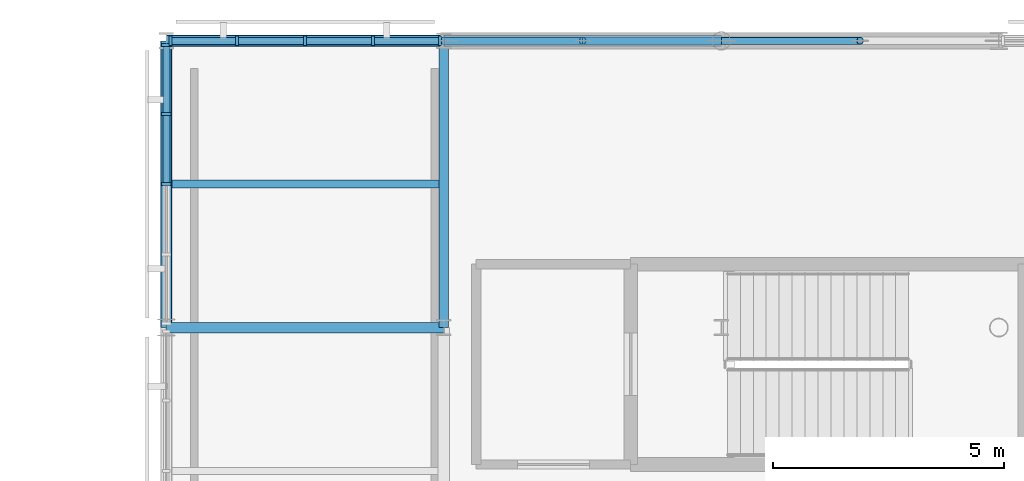
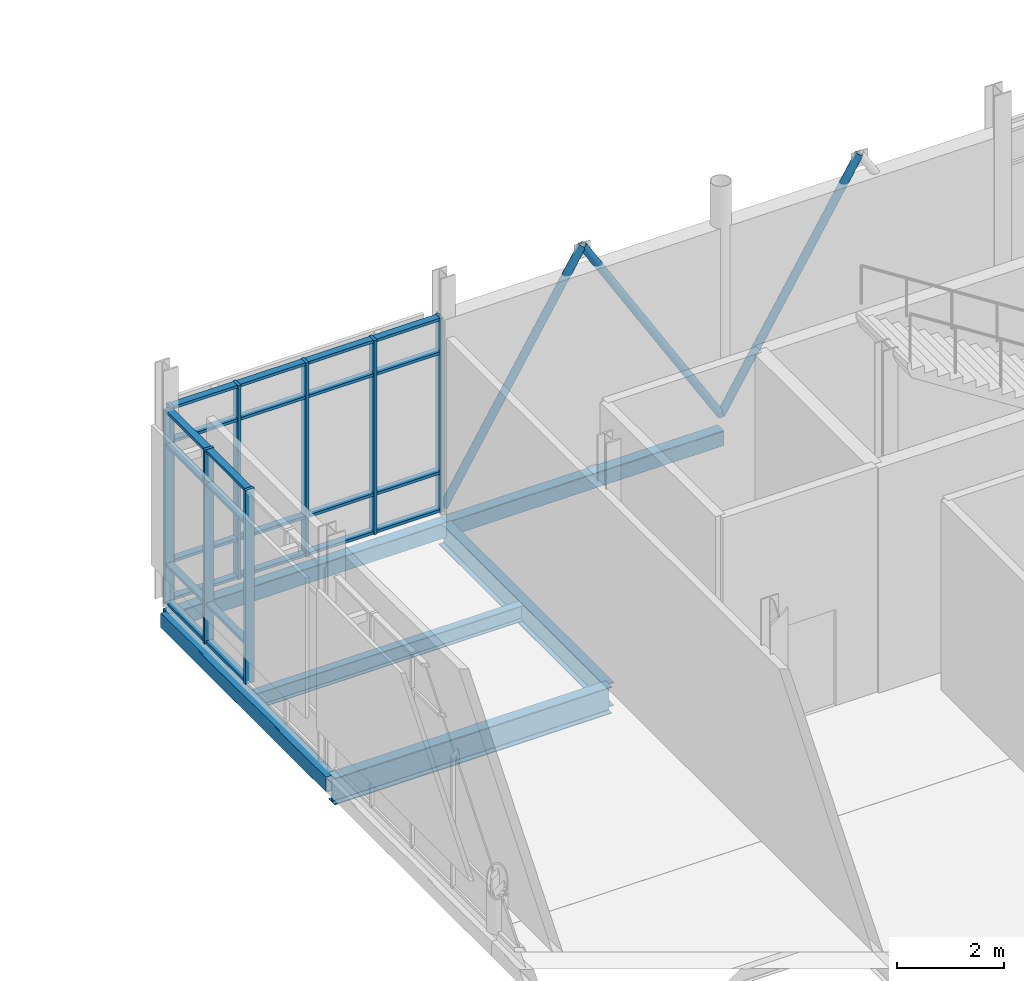
# One storey, part 44 of 105: 35 members, 6 beams, 2 elements without a shape of their own.
"""IFC4 building model written with IfcOpenShell, lengths in metres."""

from ifc_helpers import new_model, si_unit, direction, frame, origin, origin_2d, place, context, subcontext, project, spatial, rectangle, hollow_rectangle, hollow_circle, i_section, extrude, material, layer, layer_set, material_profile, profile_set, type_object, element, aggregate, save


model = new_model("IFC4")

# Units and contexts
model_context = context("Model", 3, precision=1e-05, world=origin(), true_north=direction((0.0, 1.0)))
body_context = subcontext(model_context, "Body", "Model", "MODEL_VIEW")
ifc_project = project(units=[si_unit("LENGTHUNIT", "METRE"), si_unit("AREAUNIT", "SQUARE_METRE"), si_unit("VOLUMEUNIT", "CUBIC_METRE"), si_unit("PLANEANGLEUNIT", "RADIAN"), si_unit("MASSUNIT", "GRAM", prefix="KILO")], contexts=[model_context])

# Site, building, storey
site_placement = place(None, origin())
site = spatial("IfcSite", under=ifc_project, at=site_placement, CompositionType="ELEMENT")
building_placement = place(site_placement, origin())
building = spatial("IfcBuilding", under=site, at=building_placement, Name="Mirzam Square Science Centre", CompositionType="ELEMENT")
storey_placement = place(building_placement, frame((0.0, 0.0, 5.39990234375)))
storey = spatial("IfcBuildingStorey", under=building, at=storey_placement, Name="L01", CompositionType="ELEMENT", Elevation=5.39990234375)

# Beams
ifc_material_1 = material(Name="Steel S355", Category="steel")
ifc_material_profile_1 = material_profile(ifc_material_1, i_section(OverallWidth=0.2099609375, OverallDepth=0.53662109375, WebThickness=0.0107421875, FlangeThickness=0.017333984375, FilletRadius=0.0126953125, at=origin_2d()), Name="533x210x101UB")
ifc_profile_set_1 = profile_set([ifc_material_profile_1], Name="Steel S355")
beam_type_1 = type_object("IfcBeamType", Name="BM-UB533", PredefinedType="BEAM", material=ifc_profile_set_1)
beam_1_placement = place(storey_placement, frame((120.0, 105.39990234375, -0.518310546875), z_axis=(0.0, 1.0, 0.0), x_axis=(-1.0, 0.0, 0.0)))
element("IfcBeam", 1, at=beam_1_placement, inside=storey, type_object=beam_type_1, Name="L01 girder Y21-18", PredefinedType="BEAM", context=body_context, shape_type="SweptSolid", body=[
    extrude(i_section(OverallWidth=0.2099609375, OverallDepth=0.53662109375, WebThickness=0.0107421875, FlangeThickness=0.017333984375, FilletRadius=0.0126953125, at=origin_2d()), origin(), (0.0, 0.0, 1.0), 6.2001953125),
])
ifc_material_profile_2 = material_profile(ifc_material_1, i_section(OverallWidth=0.22900390625, OverallDepth=0.6123046875, WebThickness=0.011962890625, FlangeThickness=0.01953125, FilletRadius=0.0126953125, at=origin_2d()), Name="610x229x125UB")
ifc_profile_set_2 = profile_set([ifc_material_profile_2], Name="Steel S355")
beam_type_2 = type_object("IfcBeamType", Name="BM-UB610", PredefinedType="BEAM", material=ifc_profile_set_2)
beam_2_placement = place(storey_placement, frame((114.0, 105.39990234375, -0.555908203125), z_axis=(1.0, 0.0, 0.0), x_axis=(0.0, 1.0, 0.0)))
element("IfcBeam", 2, at=beam_2_placement, inside=storey, type_object=beam_type_2, Name="L01 girder X20-18", PredefinedType="BEAM", context=body_context, shape_type="SweptSolid", body=[
    extrude(i_section(OverallWidth=0.22900390625, OverallDepth=0.6123046875, WebThickness=0.011962890625, FlangeThickness=0.01953125, FilletRadius=0.0126953125, at=origin_2d()), origin(), (0.0, 0.0, 1.0), 6.0),
])

# Members
ifc_material_profile_3 = material_profile(ifc_material_1, hollow_circle(Radius=0.084228515625, WallThickness=0.008056640625, at=origin_2d()), Name="168.3x8.0CHS")
ifc_profile_set_3 = profile_set([ifc_material_profile_3], Name="Steel S355")
member_type_1 = type_object("IfcMemberType", Name="BR-CHS168", PredefinedType="BRACE", material=ifc_profile_set_3)
for number, where, z_axis, x_axis, name in (
    (3, (120.0, 111.60009765625, 0.050048828125), (0.520218218023, 0.0, 0.854033375014), (0.0, 1.0, 0.0), "L01 chevron brace 8A"),
    (4, (126.0, 111.60009765625, 0.050048828125), (-0.520218218023, 0.0, 0.854033375014), (0.0, -1.0, 0.0), "L01 chevron brace 8B"),
    (5, (126.0, 111.60009765625, 0.050048828125), (0.520218218023, 0.0, 0.854033375014), (0.0, 1.0, 0.0), "L01 chevron brace 9A"),
):
    element("IfcMember", number, at=place(storey_placement, frame(where, z_axis=z_axis, x_axis=x_axis)), inside=storey, type_object=member_type_1, Name=name, PredefinedType="BRACE", context=body_context, shape_type="SweptSolid", body=[
        extrude(hollow_circle(Radius=0.084228515625, WallThickness=0.008056640625, at=origin_2d()), origin(), (0.0, 0.0, 1.0), 5.766845703125),
    ])

# Curtain wall, members
ifc_material_2 = material(Name="Anodised Aluminium and Low-E Solar Glass", Category="aluminium")
ifc_layer_1 = layer(ifc_material_2, 0.159912109375)
ifc_layer_set_1 = layer_set([ifc_layer_1], Name="CW-COURT-B")
curtain_wall_type_1 = type_object("IfcCurtainWallType", Name="CW-COURT-B", PredefinedType="USERDEFINED", material=ifc_layer_set_1)
curtain_wall_1_placement = place(storey_placement, origin())
curtain_wall_1 = element("IfcCurtainWall", 6, at=curtain_wall_1_placement, inside=storey, type_object=curtain_wall_type_1, Name="L01 unitised curtain wall 90", ObjectType="UNITISED CURTAIN WALL", PredefinedType="USERDEFINED")
ifc_material_3 = material(Name="Anodised Architectural Aluminium 6063-T6", Category="aluminium")
ifc_material_profile_4 = material_profile(ifc_material_3, rectangle(XDim=0.06494140625, YDim=0.199951171875, at=origin_2d()), Name="ALU-MULL-200x65x5")
ifc_profile_set_4 = profile_set([ifc_material_profile_4], Name="Anodised Architectural Aluminium 6063-T6")
member_type_2 = type_object("IfcMemberType", Name="CWM-200", PredefinedType="MULLION", material=ifc_profile_set_4)
member_1_placement = place(storey_placement, frame((119.91259765625, 111.60009765625, 0.0), z_axis=(0.0, 0.0, 1.0), x_axis=(-1.0, 0.0, 0.0)))
member_1 = element("IfcMember", 7, at=member_1_placement, type_object=member_type_2, Name="CW-04 mullion 1", PredefinedType="MULLION", context=body_context, shape_type="SweptSolid", body=[
    extrude(rectangle(XDim=0.06494140625, YDim=0.199951171875, at=origin_2d()), origin(), (0.0, 0.0, 1.0), 4.440185546875),
])
member_2_placement = place(storey_placement, frame((118.472412109375, 111.60009765625, 0.0), z_axis=(0.0, 0.0, 1.0), x_axis=(-1.0, 0.0, 0.0)))
member_2 = element("IfcMember", 8, at=member_2_placement, type_object=member_type_2, Name="CW-04 mullion 2", PredefinedType="MULLION", context=body_context, shape_type="SweptSolid", body=[
    extrude(rectangle(XDim=0.06494140625, YDim=0.199951171875, at=origin_2d()), origin(), (0.0, 0.0, 1.0), 4.440185546875),
])
member_3_placement = place(storey_placement, frame((117.0, 111.60009765625, 0.0), z_axis=(0.0, 0.0, 1.0), x_axis=(-1.0, 0.0, 0.0)))
member_3 = element("IfcMember", 9, at=member_3_placement, type_object=member_type_2, Name="CW-04 mullion 3", PredefinedType="MULLION", context=body_context, shape_type="SweptSolid", body=[
    extrude(rectangle(XDim=0.06494140625, YDim=0.199951171875, at=origin_2d()), origin(), (0.0, 0.0, 1.0), 4.440185546875),
])
member_4_placement = place(storey_placement, frame((115.527587890625, 111.60009765625, 0.0), z_axis=(0.0, 0.0, 1.0), x_axis=(-1.0, 0.0, 0.0)))
member_4 = element("IfcMember", 10, at=member_4_placement, type_object=member_type_2, Name="CW-04 mullion 4", PredefinedType="MULLION", context=body_context, shape_type="SweptSolid", body=[
    extrude(rectangle(XDim=0.06494140625, YDim=0.199951171875, at=origin_2d()), origin(), (0.0, 0.0, 1.0), 4.440185546875),
])
member_5_placement = place(storey_placement, frame((114.08740234375, 111.60009765625, 0.0), z_axis=(0.0, 0.0, 1.0), x_axis=(-1.0, 0.0, 0.0)))
member_5 = element("IfcMember", 11, at=member_5_placement, type_object=member_type_2, Name="CW-04 mullion 5", PredefinedType="MULLION", context=body_context, shape_type="SweptSolid", body=[
    extrude(rectangle(XDim=0.06494140625, YDim=0.199951171875, at=origin_2d()), origin(), (0.0, 0.0, 1.0), 4.440185546875),
])

ifc_layer_2 = layer(ifc_material_2, 0.199951171875)
ifc_layer_set_2 = layer_set([ifc_layer_2], Name="CW-EAST-A")
curtain_wall_type_2 = type_object("IfcCurtainWallType", Name="CW-EAST-A", PredefinedType="USERDEFINED", material=ifc_layer_set_2)
curtain_wall_2_placement = place(storey_placement, origin())
curtain_wall_2 = element("IfcCurtainWall", 12, at=curtain_wall_2_placement, inside=storey, type_object=curtain_wall_type_2, Name="L01 unitised curtain wall 98", ObjectType="UNITISED CURTAIN WALL", PredefinedType="USERDEFINED")
member_6_placement = place(storey_placement, frame((114.0, 111.512451171875, 0.0), z_axis=(0.0, 0.0, 1.0), x_axis=(0.0, -1.0, 0.0)))
member_6 = element("IfcMember", 13, at=member_6_placement, type_object=member_type_2, Name="CW-05 mullion 1", PredefinedType="MULLION", context=body_context, shape_type="SweptSolid", body=[
    extrude(rectangle(XDim=0.06494140625, YDim=0.199951171875, at=origin_2d()), origin(), (0.0, 0.0, 1.0), 4.440185546875),
])
member_7_placement = place(storey_placement, frame((114.0, 110.0224609375, 0.0), z_axis=(0.0, 0.0, 1.0), x_axis=(0.0, -1.0, 0.0)))
member_7 = element("IfcMember", 14, at=member_7_placement, type_object=member_type_2, Name="CW-05 mullion 2", PredefinedType="MULLION", context=body_context, shape_type="SweptSolid", body=[
    extrude(rectangle(XDim=0.06494140625, YDim=0.199951171875, at=origin_2d()), origin(), (0.0, 0.0, 1.0), 4.440185546875),
])
member_8_placement = place(storey_placement, frame((114.0, 108.5, 0.0), z_axis=(0.0, 0.0, 1.0), x_axis=(0.0, -1.0, 0.0)))
member_8 = element("IfcMember", 15, at=member_8_placement, type_object=member_type_2, Name="CW-05 mullion 3", PredefinedType="MULLION", context=body_context, shape_type="SweptSolid", body=[
    extrude(rectangle(XDim=0.06494140625, YDim=0.199951171875, at=origin_2d()), origin(), (0.0, 0.0, 1.0), 4.440185546875),
])

# Member
ifc_material_profile_5 = material_profile(ifc_material_3, rectangle(XDim=0.14990234375, YDim=0.06494140625, at=origin_2d()), Name="ALU-TRAN-150x65x4")
ifc_profile_set_5 = profile_set([ifc_material_profile_5], Name="Anodised Architectural Aluminium 6063-T6")
member_type_3 = type_object("IfcMemberType", Name="CWT-150", PredefinedType="USERDEFINED", material=ifc_profile_set_5)
member_9_placement = place(storey_placement, frame((119.8798828125, 111.60009765625, 0.03271484375), z_axis=(-1.0, 0.0, 0.0), x_axis=(0.0, -1.0, 0.0)))
member_9 = element("IfcMember", 16, at=member_9_placement, type_object=member_type_3, Name="CW-04 transom 1.1", ObjectType="TRANSOM", PredefinedType="USERDEFINED", context=body_context, shape_type="SweptSolid", body=[
    extrude(rectangle(XDim=0.14990234375, YDim=0.06494140625, at=origin_2d()), origin(), (0.0, 0.0, 1.0), 1.375),
])

member_10_placement = place(storey_placement, frame((119.8798828125, 111.60009765625, 0.900146484375), z_axis=(-1.0, 0.0, 0.0), x_axis=(0.0, -1.0, 0.0)))
member_10 = element("IfcMember", 17, at=member_10_placement, type_object=member_type_3, Name="CW-04 transom 1.2", ObjectType="TRANSOM", PredefinedType="USERDEFINED", context=body_context, shape_type="SweptSolid", body=[
    extrude(rectangle(XDim=0.14990234375, YDim=0.06494140625, at=origin_2d()), origin(), (0.0, 0.0, 1.0), 1.375),
])

member_11_placement = place(storey_placement, frame((119.8798828125, 111.60009765625, 3.64013671875), z_axis=(-1.0, 0.0, 0.0), x_axis=(0.0, -1.0, 0.0)))
member_11 = element("IfcMember", 18, at=member_11_placement, type_object=member_type_3, Name="CW-04 transom 1.3", ObjectType="TRANSOM", PredefinedType="USERDEFINED", context=body_context, shape_type="SweptSolid", body=[
    extrude(rectangle(XDim=0.14990234375, YDim=0.06494140625, at=origin_2d()), origin(), (0.0, 0.0, 1.0), 1.375),
])

member_12_placement = place(storey_placement, frame((119.8798828125, 111.60009765625, 4.40771484375), z_axis=(-1.0, 0.0, 0.0), x_axis=(0.0, -1.0, 0.0)))
member_12 = element("IfcMember", 19, at=member_12_placement, type_object=member_type_3, Name="CW-04 transom 1.4", ObjectType="TRANSOM", PredefinedType="USERDEFINED", context=body_context, shape_type="SweptSolid", body=[
    extrude(rectangle(XDim=0.14990234375, YDim=0.06494140625, at=origin_2d()), origin(), (0.0, 0.0, 1.0), 1.375),
])

member_13_placement = place(storey_placement, frame((118.43994140625, 111.60009765625, 0.03271484375), z_axis=(-1.0, 0.0, 0.0), x_axis=(0.0, -1.0, 0.0)))
member_13 = element("IfcMember", 20, at=member_13_placement, type_object=member_type_3, Name="CW-04 transom 2.1", ObjectType="TRANSOM", PredefinedType="USERDEFINED", context=body_context, shape_type="SweptSolid", body=[
    extrude(rectangle(XDim=0.14990234375, YDim=0.06494140625, at=origin_2d()), origin(), (0.0, 0.0, 1.0), 1.407470703125),
])

member_14_placement = place(storey_placement, frame((118.43994140625, 111.60009765625, 0.900146484375), z_axis=(-1.0, 0.0, 0.0), x_axis=(0.0, -1.0, 0.0)))
member_14 = element("IfcMember", 21, at=member_14_placement, type_object=member_type_3, Name="CW-04 transom 2.2", ObjectType="TRANSOM", PredefinedType="USERDEFINED", context=body_context, shape_type="SweptSolid", body=[
    extrude(rectangle(XDim=0.14990234375, YDim=0.06494140625, at=origin_2d()), origin(), (0.0, 0.0, 1.0), 1.407470703125),
])

member_15_placement = place(storey_placement, frame((118.43994140625, 111.60009765625, 3.64013671875), z_axis=(-1.0, 0.0, 0.0), x_axis=(0.0, -1.0, 0.0)))
member_15 = element("IfcMember", 22, at=member_15_placement, type_object=member_type_3, Name="CW-04 transom 2.3", ObjectType="TRANSOM", PredefinedType="USERDEFINED", context=body_context, shape_type="SweptSolid", body=[
    extrude(rectangle(XDim=0.14990234375, YDim=0.06494140625, at=origin_2d()), origin(), (0.0, 0.0, 1.0), 1.407470703125),
])

member_16_placement = place(storey_placement, frame((118.43994140625, 111.60009765625, 4.40771484375), z_axis=(-1.0, 0.0, 0.0), x_axis=(0.0, -1.0, 0.0)))
member_16 = element("IfcMember", 23, at=member_16_placement, type_object=member_type_3, Name="CW-04 transom 2.4", ObjectType="TRANSOM", PredefinedType="USERDEFINED", context=body_context, shape_type="SweptSolid", body=[
    extrude(rectangle(XDim=0.14990234375, YDim=0.06494140625, at=origin_2d()), origin(), (0.0, 0.0, 1.0), 1.407470703125),
])

member_17_placement = place(storey_placement, frame((116.967529296875, 111.60009765625, 0.03271484375), z_axis=(-1.0, 0.0, 0.0), x_axis=(0.0, -1.0, 0.0)))
member_17 = element("IfcMember", 24, at=member_17_placement, type_object=member_type_3, Name="CW-04 transom 3.1", ObjectType="TRANSOM", PredefinedType="USERDEFINED", context=body_context, shape_type="SweptSolid", body=[
    extrude(rectangle(XDim=0.14990234375, YDim=0.06494140625, at=origin_2d()), origin(), (0.0, 0.0, 1.0), 1.407470703125),
])

member_18_placement = place(storey_placement, frame((116.967529296875, 111.60009765625, 0.900146484375), z_axis=(-1.0, 0.0, 0.0), x_axis=(0.0, -1.0, 0.0)))
member_18 = element("IfcMember", 25, at=member_18_placement, type_object=member_type_3, Name="CW-04 transom 3.2", ObjectType="TRANSOM", PredefinedType="USERDEFINED", context=body_context, shape_type="SweptSolid", body=[
    extrude(rectangle(XDim=0.14990234375, YDim=0.06494140625, at=origin_2d()), origin(), (0.0, 0.0, 1.0), 1.407470703125),
])

member_19_placement = place(storey_placement, frame((116.967529296875, 111.60009765625, 3.64013671875), z_axis=(-1.0, 0.0, 0.0), x_axis=(0.0, -1.0, 0.0)))
member_19 = element("IfcMember", 26, at=member_19_placement, type_object=member_type_3, Name="CW-04 transom 3.3", ObjectType="TRANSOM", PredefinedType="USERDEFINED", context=body_context, shape_type="SweptSolid", body=[
    extrude(rectangle(XDim=0.14990234375, YDim=0.06494140625, at=origin_2d()), origin(), (0.0, 0.0, 1.0), 1.407470703125),
])

member_20_placement = place(storey_placement, frame((116.967529296875, 111.60009765625, 4.40771484375), z_axis=(-1.0, 0.0, 0.0), x_axis=(0.0, -1.0, 0.0)))
member_20 = element("IfcMember", 27, at=member_20_placement, type_object=member_type_3, Name="CW-04 transom 3.4", ObjectType="TRANSOM", PredefinedType="USERDEFINED", context=body_context, shape_type="SweptSolid", body=[
    extrude(rectangle(XDim=0.14990234375, YDim=0.06494140625, at=origin_2d()), origin(), (0.0, 0.0, 1.0), 1.407470703125),
])

member_21_placement = place(storey_placement, frame((115.4951171875, 111.60009765625, 0.03271484375), z_axis=(-1.0, 0.0, 0.0), x_axis=(0.0, -1.0, 0.0)))
member_21 = element("IfcMember", 28, at=member_21_placement, type_object=member_type_3, Name="CW-04 transom 4.1", ObjectType="TRANSOM", PredefinedType="USERDEFINED", context=body_context, shape_type="SweptSolid", body=[
    extrude(rectangle(XDim=0.14990234375, YDim=0.06494140625, at=origin_2d()), origin(), (0.0, 0.0, 1.0), 1.375),
])

member_22_placement = place(storey_placement, frame((115.4951171875, 111.60009765625, 0.900146484375), z_axis=(-1.0, 0.0, 0.0), x_axis=(0.0, -1.0, 0.0)))
member_22 = element("IfcMember", 29, at=member_22_placement, type_object=member_type_3, Name="CW-04 transom 4.2", ObjectType="TRANSOM", PredefinedType="USERDEFINED", context=body_context, shape_type="SweptSolid", body=[
    extrude(rectangle(XDim=0.14990234375, YDim=0.06494140625, at=origin_2d()), origin(), (0.0, 0.0, 1.0), 1.375),
])

member_23_placement = place(storey_placement, frame((115.4951171875, 111.60009765625, 3.64013671875), z_axis=(-1.0, 0.0, 0.0), x_axis=(0.0, -1.0, 0.0)))
member_23 = element("IfcMember", 30, at=member_23_placement, type_object=member_type_3, Name="CW-04 transom 4.3", ObjectType="TRANSOM", PredefinedType="USERDEFINED", context=body_context, shape_type="SweptSolid", body=[
    extrude(rectangle(XDim=0.14990234375, YDim=0.06494140625, at=origin_2d()), origin(), (0.0, 0.0, 1.0), 1.375),
])

member_24_placement = place(storey_placement, frame((115.4951171875, 111.60009765625, 4.40771484375), z_axis=(-1.0, 0.0, 0.0), x_axis=(0.0, -1.0, 0.0)))
member_24 = element("IfcMember", 31, at=member_24_placement, type_object=member_type_3, Name="CW-04 transom 4.4", ObjectType="TRANSOM", PredefinedType="USERDEFINED", context=body_context, shape_type="SweptSolid", body=[
    extrude(rectangle(XDim=0.14990234375, YDim=0.06494140625, at=origin_2d()), origin(), (0.0, 0.0, 1.0), 1.375),
])

aggregate(curtain_wall_1, [member_1, member_2, member_3, member_4, member_5, member_9, member_10, member_11, member_12, member_13, member_14, member_15, member_16, member_17, member_18, member_19, member_20, member_21, member_22, member_23, member_24])

member_25_placement = place(storey_placement, frame((114.0, 111.47998046875, 0.03271484375), z_axis=(0.0, -1.0, 0.0), x_axis=(1.0, 0.0, 0.0)))
member_25 = element("IfcMember", 32, at=member_25_placement, type_object=member_type_3, Name="CW-05 transom 1.1", ObjectType="TRANSOM", PredefinedType="USERDEFINED", context=body_context, shape_type="SweptSolid", body=[
    extrude(rectangle(XDim=0.14990234375, YDim=0.06494140625, at=origin_2d()), origin(), (0.0, 0.0, 1.0), 1.425048828125),
])

member_26_placement = place(storey_placement, frame((114.0, 111.47998046875, 0.900146484375), z_axis=(0.0, -1.0, 0.0), x_axis=(1.0, 0.0, 0.0)))
member_26 = element("IfcMember", 33, at=member_26_placement, type_object=member_type_3, Name="CW-05 transom 1.2", ObjectType="TRANSOM", PredefinedType="USERDEFINED", context=body_context, shape_type="SweptSolid", body=[
    extrude(rectangle(XDim=0.14990234375, YDim=0.06494140625, at=origin_2d()), origin(), (0.0, 0.0, 1.0), 1.425048828125),
])

member_27_placement = place(storey_placement, frame((114.0, 111.47998046875, 3.64013671875), z_axis=(0.0, -1.0, 0.0), x_axis=(1.0, 0.0, 0.0)))
member_27 = element("IfcMember", 34, at=member_27_placement, type_object=member_type_3, Name="CW-05 transom 1.3", ObjectType="TRANSOM", PredefinedType="USERDEFINED", context=body_context, shape_type="SweptSolid", body=[
    extrude(rectangle(XDim=0.14990234375, YDim=0.06494140625, at=origin_2d()), origin(), (0.0, 0.0, 1.0), 1.425048828125),
])

member_28_placement = place(storey_placement, frame((114.0, 111.47998046875, 4.40771484375), z_axis=(0.0, -1.0, 0.0), x_axis=(1.0, 0.0, 0.0)))
member_28 = element("IfcMember", 35, at=member_28_placement, type_object=member_type_3, Name="CW-05 transom 1.4", ObjectType="TRANSOM", PredefinedType="USERDEFINED", context=body_context, shape_type="SweptSolid", body=[
    extrude(rectangle(XDim=0.14990234375, YDim=0.06494140625, at=origin_2d()), origin(), (0.0, 0.0, 1.0), 1.425048828125),
])

member_29_placement = place(storey_placement, frame((114.0, 109.989990234375, 0.03271484375), z_axis=(0.0, -1.0, 0.0), x_axis=(1.0, 0.0, 0.0)))
member_29 = element("IfcMember", 36, at=member_29_placement, type_object=member_type_3, Name="CW-05 transom 2.1", ObjectType="TRANSOM", PredefinedType="USERDEFINED", context=body_context, shape_type="SweptSolid", body=[
    extrude(rectangle(XDim=0.14990234375, YDim=0.06494140625, at=origin_2d()), origin(), (0.0, 0.0, 1.0), 1.45751953125),
])

member_30_placement = place(storey_placement, frame((114.0, 109.989990234375, 0.900146484375), z_axis=(0.0, -1.0, 0.0), x_axis=(1.0, 0.0, 0.0)))
member_30 = element("IfcMember", 37, at=member_30_placement, type_object=member_type_3, Name="CW-05 transom 2.2", ObjectType="TRANSOM", PredefinedType="USERDEFINED", context=body_context, shape_type="SweptSolid", body=[
    extrude(rectangle(XDim=0.14990234375, YDim=0.06494140625, at=origin_2d()), origin(), (0.0, 0.0, 1.0), 1.45751953125),
])

member_31_placement = place(storey_placement, frame((114.0, 109.989990234375, 3.64013671875), z_axis=(0.0, -1.0, 0.0), x_axis=(1.0, 0.0, 0.0)))
member_31 = element("IfcMember", 38, at=member_31_placement, type_object=member_type_3, Name="CW-05 transom 2.3", ObjectType="TRANSOM", PredefinedType="USERDEFINED", context=body_context, shape_type="SweptSolid", body=[
    extrude(rectangle(XDim=0.14990234375, YDim=0.06494140625, at=origin_2d()), origin(), (0.0, 0.0, 1.0), 1.45751953125),
])

member_32_placement = place(storey_placement, frame((114.0, 109.989990234375, 4.40771484375), z_axis=(0.0, -1.0, 0.0), x_axis=(1.0, 0.0, 0.0)))
member_32 = element("IfcMember", 39, at=member_32_placement, type_object=member_type_3, Name="CW-05 transom 2.4", ObjectType="TRANSOM", PredefinedType="USERDEFINED", context=body_context, shape_type="SweptSolid", body=[
    extrude(rectangle(XDim=0.14990234375, YDim=0.06494140625, at=origin_2d()), origin(), (0.0, 0.0, 1.0), 1.45751953125),
])

aggregate(curtain_wall_2, [member_6, member_7, member_8, member_25, member_26, member_27, member_28, member_29, member_30, member_31, member_32])

# Beams
ifc_material_profile_6 = material_profile(ifc_material_1, i_section(OverallWidth=0.172119140625, OverallDepth=0.35791015625, WebThickness=0.008056640625, FlangeThickness=0.012939453125, FilletRadius=0.01025390625, at=origin_2d()), Name="356x171x57UB")
ifc_profile_set_6 = profile_set([ifc_material_profile_6], Name="Steel S355")
beam_type_3 = type_object("IfcBeamType", Name="JS-UB356", PredefinedType="JOIST", material=ifc_profile_set_6)
beam_3_placement = place(storey_placement, frame((114.125, 108.5, -0.428955078125), z_axis=(1.0, 0.0, 0.0), x_axis=(0.0, 1.0, 0.0)))
element("IfcBeam", 40, at=beam_3_placement, inside=storey, type_object=beam_type_3, Name="L01 composite joist 20-18", PredefinedType="JOIST", context=body_context, shape_type="SweptSolid", body=[
    extrude(i_section(OverallWidth=0.172119140625, OverallDepth=0.35791015625, WebThickness=0.008056640625, FlangeThickness=0.012939453125, FilletRadius=0.01025390625, at=origin_2d()), origin(), (0.0, 0.0, 1.0), 5.77001953125),
])
ifc_material_profile_7 = material_profile(ifc_material_1, hollow_rectangle(XDim=0.25, YDim=0.35009765625, WallThickness=0.012451171875, InnerFilletRadius=0.012451171875, OuterFilletRadius=0.02490234375, at=origin_2d()), Name="350x250x12.5RHS")
ifc_profile_set_7 = profile_set([ifc_material_profile_7], Name="Steel S355")
beam_type_4 = type_object("IfcBeamType", Name="SP-RHS350", PredefinedType="SPANDREL", material=ifc_profile_set_7)
for number, where, z_axis, x_axis, name in (
    (41, (114.0, 111.60009765625, -0.4248046875), (1.0, 0.0, 0.0), (0.0, 1.0, 0.0), "L01 girder X20-19"),
    (42, (120.0, 111.60009765625, -0.4248046875), (1.0, 0.0, 0.0), (0.0, 1.0, 0.0), "L01 girder X21-19"),
):
    element("IfcBeam", number, at=place(storey_placement, frame(where, z_axis=z_axis, x_axis=x_axis)), inside=storey, type_object=beam_type_4, Name=name, PredefinedType="SPANDREL", context=body_context, shape_type="SweptSolid", body=[
        extrude(hollow_rectangle(XDim=0.25, YDim=0.35009765625, WallThickness=0.012451171875, InnerFilletRadius=0.012451171875, OuterFilletRadius=0.02490234375, at=origin_2d()), origin(), (0.0, 0.0, 1.0), 6.0),
    ])
beam_4_placement = place(storey_placement, frame((114.0, 105.39990234375, -0.4248046875), z_axis=(0.0, 1.0, 0.0), x_axis=(-1.0, 0.0, 0.0)))
element("IfcBeam", 43, at=beam_4_placement, inside=storey, type_object=beam_type_4, Name="L01 girder Y20-18", PredefinedType="SPANDREL", context=body_context, shape_type="SweptSolid", body=[
    extrude(hollow_rectangle(XDim=0.25, YDim=0.35009765625, WallThickness=0.012451171875, InnerFilletRadius=0.012451171875, OuterFilletRadius=0.02490234375, at=origin_2d()), origin(), (0.0, 0.0, 1.0), 6.2001953125),
])

save(model, "model.ifc")
